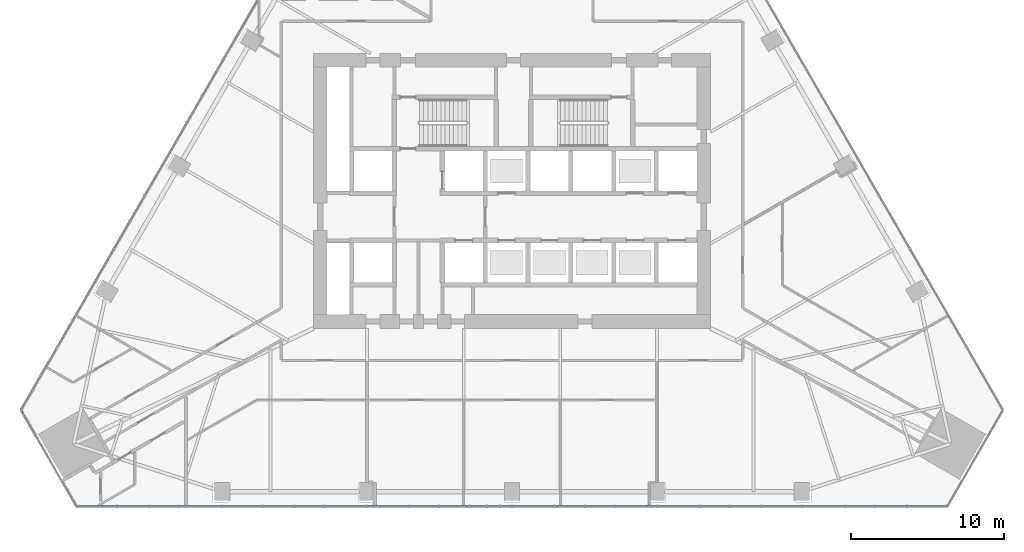
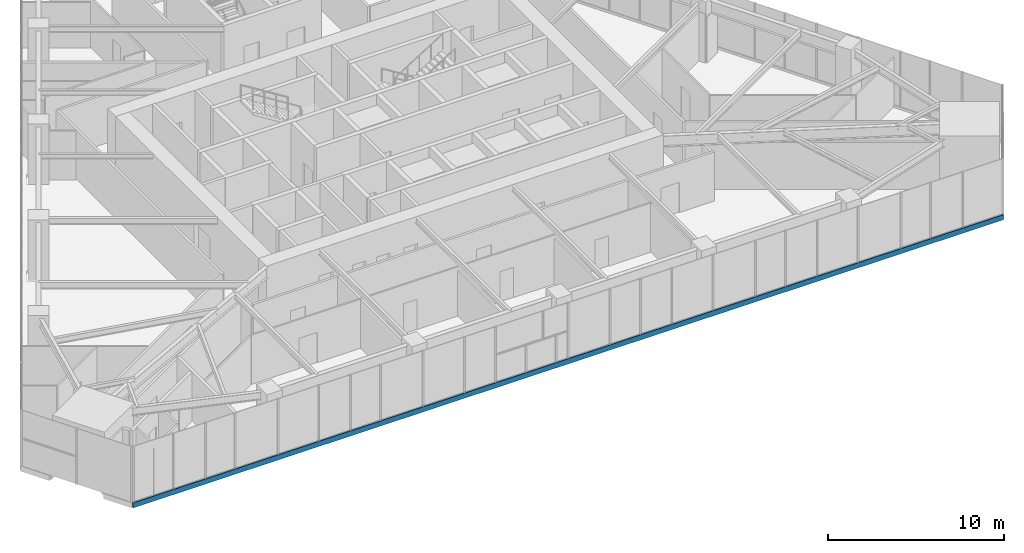
# One storey, part 6 of 21: 1 member, 1 element without a shape of its own.
"""IFC4 building model written with IfcOpenShell, lengths in metres."""

from ifc_helpers import new_model, si_unit, direction, frame, origin, origin_2d, place, context, subcontext, project, spatial, rectangle, extrude, material, layer, layer_set, material_profile, profile_set, type_object, element, aggregate, save


model = new_model("IFC4")

# Units and contexts
model_context = context("Model", 3, precision=1e-05, world=origin(), true_north=direction((0.0, 1.0)))
body_context = subcontext(model_context, "Body", "Model", "MODEL_VIEW")
ifc_project = project(units=[si_unit("LENGTHUNIT", "METRE"), si_unit("AREAUNIT", "SQUARE_METRE"), si_unit("VOLUMEUNIT", "CUBIC_METRE"), si_unit("PLANEANGLEUNIT", "RADIAN"), si_unit("MASSUNIT", "GRAM", prefix="KILO")], contexts=[model_context])

# Site, building, storey
site_placement = place(None, origin())
site = spatial("IfcSite", under=ifc_project, at=site_placement, CompositionType="ELEMENT")
building_placement = place(site_placement, origin())
building = spatial("IfcBuilding", under=site, at=building_placement, Name="Firuza Gate Tower and Library", CompositionType="ELEMENT")
storey_placement = place(building_placement, frame((0.0, 0.0, 69.39990234375)))
storey = spatial("IfcBuildingStorey", under=building, at=storey_placement, Name="L15", CompositionType="ELEMENT", Elevation=69.39990234375)

# Curtain wall, member
ifc_material_1 = material(Name="Aluminium 6063-T6", Category="aluminium")
ifc_layer = layer(ifc_material_1, 0.14990234375)
ifc_layer_set = layer_set([ifc_layer], Name="Unitised curtain wall, offices")
curtain_wall_type = type_object("IfcCurtainWallType", Name="Unitised curtain wall, offices", PredefinedType="NOTDEFINED", material=ifc_layer_set)
curtain_wall_placement = place(storey_placement, origin())
curtain_wall = element("IfcCurtainWall", 1, at=curtain_wall_placement, inside=storey, type_object=curtain_wall_type, Name="CW1 L15 S face", PredefinedType="NOTDEFINED")
ifc_material_2 = material(Name="Aluminium 6063-T6", Category="aluminium")
ifc_material_profile = material_profile(ifc_material_2, rectangle(XDim=0.14990234375, YDim=0.35009765625, at=origin_2d()))
ifc_profile_set = profile_set([ifc_material_profile], Name="Aluminium 6063-T6")
member_type = type_object("IfcMemberType", Name="Curtain wall transom 350x150", PredefinedType="USERDEFINED", material=ifc_profile_set)
member_placement = place(storey_placement, frame((46.500732421875, 54.339111328125, -0.02490234375), z_axis=(1.0, 0.0, 0.0), x_axis=(0.0, 1.0, 0.0)))
member = element("IfcMember", 2, at=member_placement, type_object=member_type, Name="Transom", ObjectType="TRANSOM", PredefinedType="USERDEFINED", context=body_context, shape_type="SweptSolid", body=[
    extrude(rectangle(XDim=0.14990234375, YDim=0.35009765625, at=origin_2d()), origin(), (0.0, 0.0, 1.0), 56.99853515625),
])
aggregate(curtain_wall, [member])

save(model, "model.ifc")
